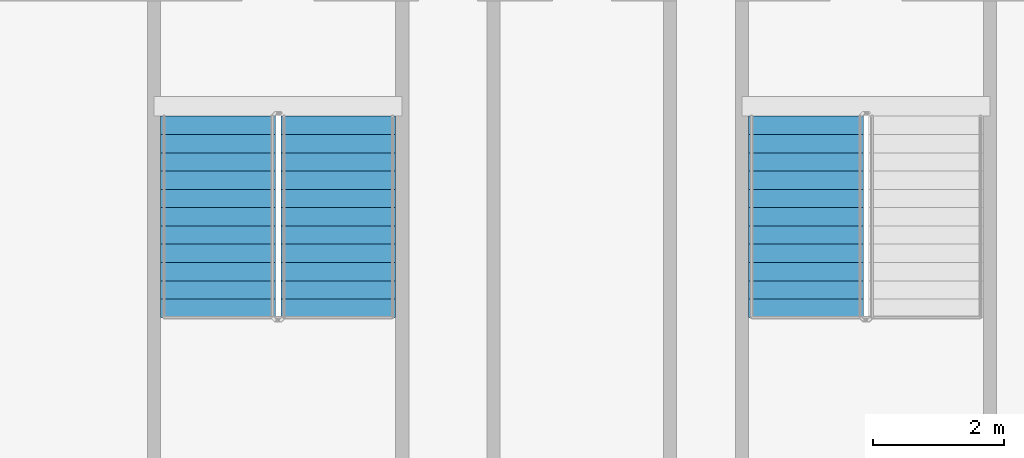
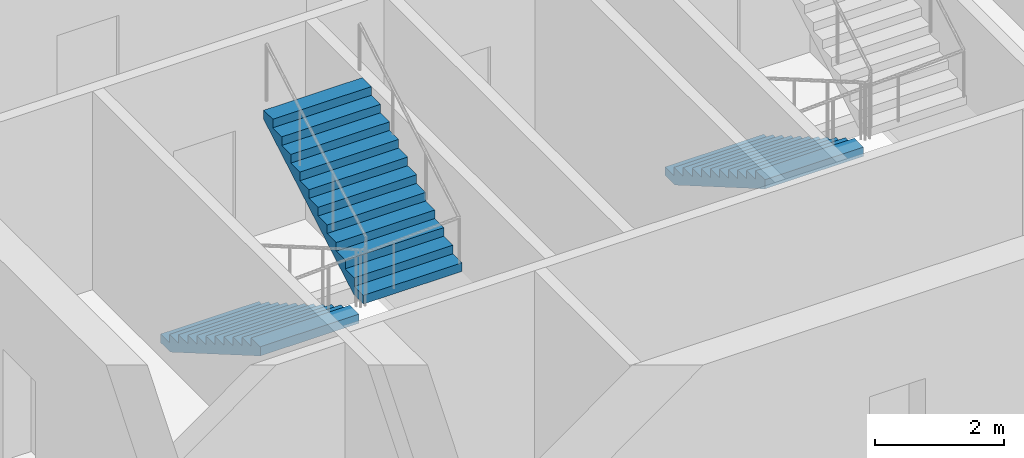
# One storey, part 15 of 22: 3 stair flights, 2 elements without a shape of their own.
"""IFC4 building model written with IfcOpenShell, lengths in metres."""

from ifc_helpers import new_model, si_unit, direction, frame, origin, place, context, subcontext, project, spatial, faceted_brep, material, type_object, element, aggregate, save


model = new_model("IFC4")

# Units and contexts
model_context = context("Model", 3, precision=1e-05, world=origin(), true_north=direction((0.0, 1.0)))
body_context = subcontext(model_context, "Body", "Model", "MODEL_VIEW")
ifc_project = project(units=[si_unit("LENGTHUNIT", "METRE"), si_unit("AREAUNIT", "SQUARE_METRE"), si_unit("VOLUMEUNIT", "CUBIC_METRE"), si_unit("PLANEANGLEUNIT", "RADIAN"), si_unit("MASSUNIT", "GRAM", prefix="KILO")], contexts=[model_context])

# Site, building, storey
site_placement = place(None, origin())
site = spatial("IfcSite", under=ifc_project, at=site_placement, CompositionType="ELEMENT")
building_placement = place(site_placement, origin())
building = spatial("IfcBuilding", under=site, at=building_placement, Name="Tarsis Ring Headquarters", CompositionType="ELEMENT")
storey_placement = place(building_placement, frame((0.0, 0.0, 270.800048828125)))
storey = spatial("IfcBuildingStorey", under=building, at=storey_placement, Name="L63", CompositionType="ELEMENT", Elevation=270.800048828125)

# Stair, stair flights
ifc_material_1 = material(Name="Core stair 1760")
stair_type = type_object("IfcStairType", Name="Core stair 1760", PredefinedType="HALF_TURN_STAIR", material=ifc_material_1)
stair_1_placement = place(storey_placement, origin())
stair_1 = element("IfcStair", 1, at=stair_1_placement, inside=storey, type_object=stair_type, Name="L63 Exit stair C", PredefinedType="HALF_TURN_STAIR")
ifc_material_2 = material(Name="Concrete C40/50", Category="concrete")
stair_flight_type = type_object("IfcStairFlightType", Name="Core stair flight 1760", PredefinedType="STRAIGHT", material=ifc_material_2)
stair_flight_1_placement = place(storey_placement, frame((-5.419921875, -3.659912109375, 0.0), z_axis=(0.0, 0.0, 1.0), x_axis=(0.0, -1.0, 0.0)))
stair_flight_1 = element("IfcStairFlight", 2, at=stair_flight_1_placement, type_object=stair_flight_type, Name="Stair ST3 flight 1", NumberOfRisers=12, NumberOfTreads=11, PredefinedType="STRAIGHT", RiserHeight=0.1625, TreadLength=0.28, context=body_context, shape_type="Brep", body=[
    faceted_brep([(0.0, 0.8798828125, 0.0), (0.0, 0.8798828125, 0.16259765625), (0.280029296875, 0.8798828125, 0.16259765625), (0.280029296875, 0.8798828125, 0.324951171875), (0.56005859375, 0.8798828125, 0.324951171875), (0.56005859375, 0.8798828125, 0.487548828125), (0.840087890625, 0.8798828125, 0.487548828125), (0.840087890625, 0.8798828125, 0.64990234375), (1.1201171875, 0.8798828125, 0.64990234375), (1.1201171875, 0.8798828125, 0.8125), (1.39990234375, 0.8798828125, 0.8125), (1.39990234375, 0.8798828125, 0.97509765625), (1.679931640625, 0.8798828125, 0.97509765625), (1.679931640625, 0.8798828125, 1.137451171875), (1.9599609375, 0.8798828125, 1.137451171875), (1.9599609375, 0.8798828125, 1.300048828125), (2.239990234375, 0.8798828125, 1.300048828125), (2.239990234375, 0.8798828125, 1.46240234375), (2.52001953125, 0.8798828125, 1.46240234375), (2.52001953125, 0.8798828125, 1.625), (2.800048828125, 0.8798828125, 1.625), (2.800048828125, 0.8798828125, 1.78759765625), (3.080078125, 0.8798828125, 1.78759765625), (3.080078125, 0.8798828125, 1.6142578125), (0.298583984375, 0.8798828125, 0.0), (0.298583984375, -0.8798828125, 0.0), (3.080078125, -0.8798828125, 1.6142578125), (3.080078125, -0.8798828125, 1.78759765625), (2.800048828125, -0.8798828125, 1.78759765625), (2.800048828125, -0.8798828125, 1.625), (2.52001953125, -0.8798828125, 1.625), (2.52001953125, -0.8798828125, 1.46240234375), (2.239990234375, -0.8798828125, 1.46240234375), (2.239990234375, -0.8798828125, 1.300048828125), (1.9599609375, -0.8798828125, 1.300048828125), (1.9599609375, -0.8798828125, 1.137451171875), (1.679931640625, -0.8798828125, 1.137451171875), (1.679931640625, -0.8798828125, 0.97509765625), (1.39990234375, -0.8798828125, 0.97509765625), (1.39990234375, -0.8798828125, 0.8125), (1.1201171875, -0.8798828125, 0.8125), (1.1201171875, -0.8798828125, 0.64990234375), (0.840087890625, -0.8798828125, 0.64990234375), (0.840087890625, -0.8798828125, 0.487548828125), (0.56005859375, -0.8798828125, 0.487548828125), (0.56005859375, -0.8798828125, 0.324951171875), (0.280029296875, -0.8798828125, 0.324951171875), (0.280029296875, -0.8798828125, 0.16259765625), (0.0, -0.8798828125, 0.16259765625), (0.0, -0.8798828125, 0.0), (0.0, -0.43994140625, 0.16259765625), (0.0, -0.43994140625, 0.0), (0.0, 0.0, 0.16259765625), (0.0, 0.0, 0.0), (0.0, 0.43994140625, 0.16259765625), (0.0, 0.43994140625, 0.0), (0.280029296875, -0.43994140625, 0.16259765625), (0.280029296875, 0.0, 0.16259765625), (0.280029296875, 0.43994140625, 0.16259765625), (0.280029296875, -0.43994140625, 0.324951171875), (0.280029296875, 0.0, 0.324951171875), (0.280029296875, 0.43994140625, 0.324951171875), (0.56005859375, -0.43994140625, 0.324951171875), (0.56005859375, 0.0, 0.324951171875), (0.56005859375, 0.43994140625, 0.324951171875), (0.56005859375, -0.43994140625, 0.487548828125), (0.56005859375, 0.0, 0.487548828125), (0.56005859375, 0.43994140625, 0.487548828125), (0.840087890625, -0.43994140625, 0.487548828125), (0.840087890625, 0.0, 0.487548828125), (0.840087890625, 0.43994140625, 0.487548828125), (0.840087890625, -0.43994140625, 0.64990234375), (0.840087890625, 0.0, 0.64990234375), (0.840087890625, 0.43994140625, 0.64990234375), (1.1201171875, -0.43994140625, 0.64990234375), (1.1201171875, 0.0, 0.64990234375), (1.1201171875, 0.43994140625, 0.64990234375), (1.1201171875, -0.43994140625, 0.8125), (1.1201171875, 0.0, 0.8125), (1.1201171875, 0.43994140625, 0.8125), (1.39990234375, -0.43994140625, 0.8125), (1.39990234375, 0.0, 0.8125), (1.39990234375, 0.43994140625, 0.8125), (1.39990234375, -0.43994140625, 0.97509765625), (1.39990234375, 0.0, 0.97509765625), (1.39990234375, 0.43994140625, 0.97509765625), (1.679931640625, -0.43994140625, 0.97509765625), (1.679931640625, 0.0, 0.97509765625), (1.679931640625, 0.43994140625, 0.97509765625), (1.679931640625, -0.43994140625, 1.137451171875), (1.679931640625, 0.0, 1.137451171875), (1.679931640625, 0.43994140625, 1.137451171875), (1.9599609375, -0.43994140625, 1.137451171875), (1.9599609375, 0.0, 1.137451171875), (1.9599609375, 0.43994140625, 1.137451171875), (1.9599609375, -0.43994140625, 1.300048828125), (1.9599609375, 0.0, 1.300048828125), (1.9599609375, 0.43994140625, 1.300048828125), (2.239990234375, -0.43994140625, 1.300048828125), (2.239990234375, 0.0, 1.300048828125), (2.239990234375, 0.43994140625, 1.300048828125), (2.239990234375, -0.43994140625, 1.46240234375), (2.239990234375, 0.0, 1.46240234375), (2.239990234375, 0.43994140625, 1.46240234375), (2.52001953125, -0.43994140625, 1.46240234375), (2.52001953125, 0.0, 1.46240234375), (2.52001953125, 0.43994140625, 1.46240234375), (2.52001953125, -0.43994140625, 1.625), (2.52001953125, 0.0, 1.625), (2.52001953125, 0.43994140625, 1.625), (2.800048828125, -0.43994140625, 1.625), (2.800048828125, 0.0, 1.625), (2.800048828125, 0.43994140625, 1.625), (2.800048828125, -0.43994140625, 1.78759765625), (2.800048828125, 0.0, 1.78759765625), (2.800048828125, 0.43994140625, 1.78759765625), (3.080078125, -0.43994140625, 1.78759765625), (3.080078125, 0.0, 1.78759765625), (3.080078125, 0.43994140625, 1.78759765625), (3.080078125, -0.43994140625, 1.6142578125), (3.080078125, 0.0, 1.6142578125), (3.080078125, 0.43994140625, 1.6142578125), (0.298583984375, -0.43994140625, 0.0), (0.298583984375, 0.0, 0.0), (0.298583984375, 0.43994140625, 0.0)], [[[0, 1, 2, 3, 4, 5, 6, 7, 8, 9, 10, 11, 12, 13, 14, 15, 16, 17, 18, 19, 20, 21, 22, 23, 24]], [[25, 26, 27, 28, 29, 30, 31, 32, 33, 34, 35, 36, 37, 38, 39, 40, 41, 42, 43, 44, 45, 46, 47, 48, 49]], [[49, 48, 50, 51]], [[51, 50, 52, 53]], [[53, 52, 54, 55]], [[55, 54, 1, 0]], [[48, 47, 56, 50]], [[50, 56, 57, 52]], [[52, 57, 58, 54]], [[54, 58, 2, 1]], [[47, 46, 59, 56]], [[56, 59, 60, 57]], [[57, 60, 61, 58]], [[58, 61, 3, 2]], [[46, 45, 62, 59]], [[59, 62, 63, 60]], [[60, 63, 64, 61]], [[61, 64, 4, 3]], [[45, 44, 65, 62]], [[62, 65, 66, 63]], [[63, 66, 67, 64]], [[64, 67, 5, 4]], [[44, 43, 68, 65]], [[65, 68, 69, 66]], [[66, 69, 70, 67]], [[67, 70, 6, 5]], [[43, 42, 71, 68]], [[68, 71, 72, 69]], [[69, 72, 73, 70]], [[70, 73, 7, 6]], [[42, 41, 74, 71]], [[71, 74, 75, 72]], [[72, 75, 76, 73]], [[73, 76, 8, 7]], [[41, 40, 77, 74]], [[74, 77, 78, 75]], [[75, 78, 79, 76]], [[76, 79, 9, 8]], [[40, 39, 80, 77]], [[77, 80, 81, 78]], [[78, 81, 82, 79]], [[79, 82, 10, 9]], [[39, 38, 83, 80]], [[80, 83, 84, 81]], [[81, 84, 85, 82]], [[82, 85, 11, 10]], [[38, 37, 86, 83]], [[83, 86, 87, 84]], [[84, 87, 88, 85]], [[85, 88, 12, 11]], [[37, 36, 89, 86]], [[86, 89, 90, 87]], [[87, 90, 91, 88]], [[88, 91, 13, 12]], [[36, 35, 92, 89]], [[89, 92, 93, 90]], [[90, 93, 94, 91]], [[91, 94, 14, 13]], [[35, 34, 95, 92]], [[92, 95, 96, 93]], [[93, 96, 97, 94]], [[94, 97, 15, 14]], [[34, 33, 98, 95]], [[95, 98, 99, 96]], [[96, 99, 100, 97]], [[97, 100, 16, 15]], [[33, 32, 101, 98]], [[98, 101, 102, 99]], [[99, 102, 103, 100]], [[100, 103, 17, 16]], [[32, 31, 104, 101]], [[101, 104, 105, 102]], [[102, 105, 106, 103]], [[103, 106, 18, 17]], [[31, 30, 107, 104]], [[104, 107, 108, 105]], [[105, 108, 109, 106]], [[106, 109, 19, 18]], [[30, 29, 110, 107]], [[107, 110, 111, 108]], [[108, 111, 112, 109]], [[109, 112, 20, 19]], [[29, 28, 113, 110]], [[110, 113, 114, 111]], [[111, 114, 115, 112]], [[112, 115, 21, 20]], [[28, 27, 116, 113]], [[113, 116, 117, 114]], [[114, 117, 118, 115]], [[115, 118, 22, 21]], [[27, 26, 119, 116]], [[116, 119, 120, 117]], [[117, 120, 121, 118]], [[118, 121, 23, 22]], [[26, 25, 122, 119]], [[119, 122, 123, 120]], [[120, 123, 124, 121]], [[121, 124, 24, 23]], [[25, 49, 51, 122]], [[122, 51, 53, 123]], [[123, 53, 55, 124]], [[124, 55, 0, 24]]]),
])
stair_flight_2_placement = place(storey_placement, frame((-3.580078125, -6.739990234375, 1.949951171875), z_axis=(0.0, 0.0, 1.0), x_axis=(0.0, 1.0, 0.0)))
stair_flight_2 = element("IfcStairFlight", 3, at=stair_flight_2_placement, type_object=stair_flight_type, Name="Stair ST3 flight 2", NumberOfRisers=12, NumberOfTreads=11, PredefinedType="STRAIGHT", RiserHeight=0.1625, TreadLength=0.28, context=body_context, shape_type="Brep", body=[
    faceted_brep([(0.0, 0.8798828125, 0.0), (0.0, 0.8798828125, 0.16259765625), (0.280029296875, 0.8798828125, 0.16259765625), (0.280029296875, 0.8798828125, 0.324951171875), (0.56005859375, 0.8798828125, 0.324951171875), (0.56005859375, 0.8798828125, 0.487548828125), (0.840087890625, 0.8798828125, 0.487548828125), (0.840087890625, 0.8798828125, 0.64990234375), (1.1201171875, 0.8798828125, 0.64990234375), (1.1201171875, 0.8798828125, 0.8125), (1.39990234375, 0.8798828125, 0.8125), (1.39990234375, 0.8798828125, 0.97509765625), (1.679931640625, 0.8798828125, 0.97509765625), (1.679931640625, 0.8798828125, 1.137451171875), (1.9599609375, 0.8798828125, 1.137451171875), (1.9599609375, 0.8798828125, 1.300048828125), (2.239990234375, 0.8798828125, 1.300048828125), (2.239990234375, 0.8798828125, 1.46240234375), (2.52001953125, 0.8798828125, 1.46240234375), (2.52001953125, 0.8798828125, 1.625), (2.800048828125, 0.8798828125, 1.625), (2.800048828125, 0.8798828125, 1.78759765625), (3.080078125, 0.8798828125, 1.78759765625), (3.080078125, 0.8798828125, 1.6142578125), (0.298583984375, 0.8798828125, 0.0), (0.298583984375, -0.8798828125, 0.0), (3.080078125, -0.8798828125, 1.6142578125), (3.080078125, -0.8798828125, 1.78759765625), (2.800048828125, -0.8798828125, 1.78759765625), (2.800048828125, -0.8798828125, 1.625), (2.52001953125, -0.8798828125, 1.625), (2.52001953125, -0.8798828125, 1.46240234375), (2.239990234375, -0.8798828125, 1.46240234375), (2.239990234375, -0.8798828125, 1.300048828125), (1.9599609375, -0.8798828125, 1.300048828125), (1.9599609375, -0.8798828125, 1.137451171875), (1.679931640625, -0.8798828125, 1.137451171875), (1.679931640625, -0.8798828125, 0.97509765625), (1.39990234375, -0.8798828125, 0.97509765625), (1.39990234375, -0.8798828125, 0.8125), (1.1201171875, -0.8798828125, 0.8125), (1.1201171875, -0.8798828125, 0.64990234375), (0.840087890625, -0.8798828125, 0.64990234375), (0.840087890625, -0.8798828125, 0.487548828125), (0.56005859375, -0.8798828125, 0.487548828125), (0.56005859375, -0.8798828125, 0.324951171875), (0.280029296875, -0.8798828125, 0.324951171875), (0.280029296875, -0.8798828125, 0.16259765625), (0.0, -0.8798828125, 0.16259765625), (0.0, -0.8798828125, 0.0), (0.0, -0.43994140625, 0.16259765625), (0.0, -0.43994140625, 0.0), (0.0, 0.0, 0.16259765625), (0.0, 0.0, 0.0), (0.0, 0.43994140625, 0.16259765625), (0.0, 0.43994140625, 0.0), (0.280029296875, -0.43994140625, 0.16259765625), (0.280029296875, 0.0, 0.16259765625), (0.280029296875, 0.43994140625, 0.16259765625), (0.280029296875, -0.43994140625, 0.324951171875), (0.280029296875, 0.0, 0.324951171875), (0.280029296875, 0.43994140625, 0.324951171875), (0.56005859375, -0.43994140625, 0.324951171875), (0.56005859375, 0.0, 0.324951171875), (0.56005859375, 0.43994140625, 0.324951171875), (0.56005859375, -0.43994140625, 0.487548828125), (0.56005859375, 0.0, 0.487548828125), (0.56005859375, 0.43994140625, 0.487548828125), (0.840087890625, -0.43994140625, 0.487548828125), (0.840087890625, 0.0, 0.487548828125), (0.840087890625, 0.43994140625, 0.487548828125), (0.840087890625, -0.43994140625, 0.64990234375), (0.840087890625, 0.0, 0.64990234375), (0.840087890625, 0.43994140625, 0.64990234375), (1.1201171875, -0.43994140625, 0.64990234375), (1.1201171875, 0.0, 0.64990234375), (1.1201171875, 0.43994140625, 0.64990234375), (1.1201171875, -0.43994140625, 0.8125), (1.1201171875, 0.0, 0.8125), (1.1201171875, 0.43994140625, 0.8125), (1.39990234375, -0.43994140625, 0.8125), (1.39990234375, 0.0, 0.8125), (1.39990234375, 0.43994140625, 0.8125), (1.39990234375, -0.43994140625, 0.97509765625), (1.39990234375, 0.0, 0.97509765625), (1.39990234375, 0.43994140625, 0.97509765625), (1.679931640625, -0.43994140625, 0.97509765625), (1.679931640625, 0.0, 0.97509765625), (1.679931640625, 0.43994140625, 0.97509765625), (1.679931640625, -0.43994140625, 1.137451171875), (1.679931640625, 0.0, 1.137451171875), (1.679931640625, 0.43994140625, 1.137451171875), (1.9599609375, -0.43994140625, 1.137451171875), (1.9599609375, 0.0, 1.137451171875), (1.9599609375, 0.43994140625, 1.137451171875), (1.9599609375, -0.43994140625, 1.300048828125), (1.9599609375, 0.0, 1.300048828125), (1.9599609375, 0.43994140625, 1.300048828125), (2.239990234375, -0.43994140625, 1.300048828125), (2.239990234375, 0.0, 1.300048828125), (2.239990234375, 0.43994140625, 1.300048828125), (2.239990234375, -0.43994140625, 1.46240234375), (2.239990234375, 0.0, 1.46240234375), (2.239990234375, 0.43994140625, 1.46240234375), (2.52001953125, -0.43994140625, 1.46240234375), (2.52001953125, 0.0, 1.46240234375), (2.52001953125, 0.43994140625, 1.46240234375), (2.52001953125, -0.43994140625, 1.625), (2.52001953125, 0.0, 1.625), (2.52001953125, 0.43994140625, 1.625), (2.800048828125, -0.43994140625, 1.625), (2.800048828125, 0.0, 1.625), (2.800048828125, 0.43994140625, 1.625), (2.800048828125, -0.43994140625, 1.78759765625), (2.800048828125, 0.0, 1.78759765625), (2.800048828125, 0.43994140625, 1.78759765625), (3.080078125, -0.43994140625, 1.78759765625), (3.080078125, 0.0, 1.78759765625), (3.080078125, 0.43994140625, 1.78759765625), (3.080078125, -0.43994140625, 1.6142578125), (3.080078125, 0.0, 1.6142578125), (3.080078125, 0.43994140625, 1.6142578125), (0.298583984375, -0.43994140625, 0.0), (0.298583984375, 0.0, 0.0), (0.298583984375, 0.43994140625, 0.0)], [[[0, 1, 2, 3, 4, 5, 6, 7, 8, 9, 10, 11, 12, 13, 14, 15, 16, 17, 18, 19, 20, 21, 22, 23, 24]], [[25, 26, 27, 28, 29, 30, 31, 32, 33, 34, 35, 36, 37, 38, 39, 40, 41, 42, 43, 44, 45, 46, 47, 48, 49]], [[49, 48, 50, 51]], [[51, 50, 52, 53]], [[53, 52, 54, 55]], [[55, 54, 1, 0]], [[48, 47, 56, 50]], [[50, 56, 57, 52]], [[52, 57, 58, 54]], [[54, 58, 2, 1]], [[47, 46, 59, 56]], [[56, 59, 60, 57]], [[57, 60, 61, 58]], [[58, 61, 3, 2]], [[46, 45, 62, 59]], [[59, 62, 63, 60]], [[60, 63, 64, 61]], [[61, 64, 4, 3]], [[45, 44, 65, 62]], [[62, 65, 66, 63]], [[63, 66, 67, 64]], [[64, 67, 5, 4]], [[44, 43, 68, 65]], [[65, 68, 69, 66]], [[66, 69, 70, 67]], [[67, 70, 6, 5]], [[43, 42, 71, 68]], [[68, 71, 72, 69]], [[69, 72, 73, 70]], [[70, 73, 7, 6]], [[42, 41, 74, 71]], [[71, 74, 75, 72]], [[72, 75, 76, 73]], [[73, 76, 8, 7]], [[41, 40, 77, 74]], [[74, 77, 78, 75]], [[75, 78, 79, 76]], [[76, 79, 9, 8]], [[40, 39, 80, 77]], [[77, 80, 81, 78]], [[78, 81, 82, 79]], [[79, 82, 10, 9]], [[39, 38, 83, 80]], [[80, 83, 84, 81]], [[81, 84, 85, 82]], [[82, 85, 11, 10]], [[38, 37, 86, 83]], [[83, 86, 87, 84]], [[84, 87, 88, 85]], [[85, 88, 12, 11]], [[37, 36, 89, 86]], [[86, 89, 90, 87]], [[87, 90, 91, 88]], [[88, 91, 13, 12]], [[36, 35, 92, 89]], [[89, 92, 93, 90]], [[90, 93, 94, 91]], [[91, 94, 14, 13]], [[35, 34, 95, 92]], [[92, 95, 96, 93]], [[93, 96, 97, 94]], [[94, 97, 15, 14]], [[34, 33, 98, 95]], [[95, 98, 99, 96]], [[96, 99, 100, 97]], [[97, 100, 16, 15]], [[33, 32, 101, 98]], [[98, 101, 102, 99]], [[99, 102, 103, 100]], [[100, 103, 17, 16]], [[32, 31, 104, 101]], [[101, 104, 105, 102]], [[102, 105, 106, 103]], [[103, 106, 18, 17]], [[31, 30, 107, 104]], [[104, 107, 108, 105]], [[105, 108, 109, 106]], [[106, 109, 19, 18]], [[30, 29, 110, 107]], [[107, 110, 111, 108]], [[108, 111, 112, 109]], [[109, 112, 20, 19]], [[29, 28, 113, 110]], [[110, 113, 114, 111]], [[111, 114, 115, 112]], [[112, 115, 21, 20]], [[28, 27, 116, 113]], [[113, 116, 117, 114]], [[114, 117, 118, 115]], [[115, 118, 22, 21]], [[27, 26, 119, 116]], [[116, 119, 120, 117]], [[117, 120, 121, 118]], [[118, 121, 23, 22]], [[26, 25, 122, 119]], [[119, 122, 123, 120]], [[120, 123, 124, 121]], [[121, 124, 24, 23]], [[25, 49, 51, 122]], [[122, 51, 53, 123]], [[123, 53, 55, 124]], [[124, 55, 0, 24]]]),
])
aggregate(stair_1, [stair_flight_1, stair_flight_2])

# Stair, stair flight
stair_2_placement = place(storey_placement, origin())
stair_2 = element("IfcStair", 4, at=stair_2_placement, inside=storey, type_object=stair_type, Name="L63 Exit stair D", PredefinedType="HALF_TURN_STAIR")
stair_flight_3_placement = place(storey_placement, frame((3.580078125, -3.659912109375, 0.0), z_axis=(0.0, 0.0, 1.0), x_axis=(0.0, -1.0, 0.0)))
stair_flight_3 = element("IfcStairFlight", 5, at=stair_flight_3_placement, type_object=stair_flight_type, Name="Stair ST4 flight 1", NumberOfRisers=12, NumberOfTreads=11, PredefinedType="STRAIGHT", RiserHeight=0.1625, TreadLength=0.28, context=body_context, shape_type="Brep", body=[
    faceted_brep([(0.0, 0.8798828125, 0.0), (0.0, 0.8798828125, 0.16259765625), (0.280029296875, 0.8798828125, 0.16259765625), (0.280029296875, 0.8798828125, 0.324951171875), (0.56005859375, 0.8798828125, 0.324951171875), (0.56005859375, 0.8798828125, 0.487548828125), (0.840087890625, 0.8798828125, 0.487548828125), (0.840087890625, 0.8798828125, 0.64990234375), (1.1201171875, 0.8798828125, 0.64990234375), (1.1201171875, 0.8798828125, 0.8125), (1.39990234375, 0.8798828125, 0.8125), (1.39990234375, 0.8798828125, 0.97509765625), (1.679931640625, 0.8798828125, 0.97509765625), (1.679931640625, 0.8798828125, 1.137451171875), (1.9599609375, 0.8798828125, 1.137451171875), (1.9599609375, 0.8798828125, 1.300048828125), (2.239990234375, 0.8798828125, 1.300048828125), (2.239990234375, 0.8798828125, 1.46240234375), (2.52001953125, 0.8798828125, 1.46240234375), (2.52001953125, 0.8798828125, 1.625), (2.800048828125, 0.8798828125, 1.625), (2.800048828125, 0.8798828125, 1.78759765625), (3.080078125, 0.8798828125, 1.78759765625), (3.080078125, 0.8798828125, 1.6142578125), (0.298583984375, 0.8798828125, 0.0), (0.298583984375, -0.8798828125, 0.0), (3.080078125, -0.8798828125, 1.6142578125), (3.080078125, -0.8798828125, 1.78759765625), (2.800048828125, -0.8798828125, 1.78759765625), (2.800048828125, -0.8798828125, 1.625), (2.52001953125, -0.8798828125, 1.625), (2.52001953125, -0.8798828125, 1.46240234375), (2.239990234375, -0.8798828125, 1.46240234375), (2.239990234375, -0.8798828125, 1.300048828125), (1.9599609375, -0.8798828125, 1.300048828125), (1.9599609375, -0.8798828125, 1.137451171875), (1.679931640625, -0.8798828125, 1.137451171875), (1.679931640625, -0.8798828125, 0.97509765625), (1.39990234375, -0.8798828125, 0.97509765625), (1.39990234375, -0.8798828125, 0.8125), (1.1201171875, -0.8798828125, 0.8125), (1.1201171875, -0.8798828125, 0.64990234375), (0.840087890625, -0.8798828125, 0.64990234375), (0.840087890625, -0.8798828125, 0.487548828125), (0.56005859375, -0.8798828125, 0.487548828125), (0.56005859375, -0.8798828125, 0.324951171875), (0.280029296875, -0.8798828125, 0.324951171875), (0.280029296875, -0.8798828125, 0.16259765625), (0.0, -0.8798828125, 0.16259765625), (0.0, -0.8798828125, 0.0), (0.0, -0.43994140625, 0.16259765625), (0.0, -0.43994140625, 0.0), (0.0, 0.0, 0.16259765625), (0.0, 0.0, 0.0), (0.0, 0.43994140625, 0.16259765625), (0.0, 0.43994140625, 0.0), (0.280029296875, -0.43994140625, 0.16259765625), (0.280029296875, 0.0, 0.16259765625), (0.280029296875, 0.43994140625, 0.16259765625), (0.280029296875, -0.43994140625, 0.324951171875), (0.280029296875, 0.0, 0.324951171875), (0.280029296875, 0.43994140625, 0.324951171875), (0.56005859375, -0.43994140625, 0.324951171875), (0.56005859375, 0.0, 0.324951171875), (0.56005859375, 0.43994140625, 0.324951171875), (0.56005859375, -0.43994140625, 0.487548828125), (0.56005859375, 0.0, 0.487548828125), (0.56005859375, 0.43994140625, 0.487548828125), (0.840087890625, -0.43994140625, 0.487548828125), (0.840087890625, 0.0, 0.487548828125), (0.840087890625, 0.43994140625, 0.487548828125), (0.840087890625, -0.43994140625, 0.64990234375), (0.840087890625, 0.0, 0.64990234375), (0.840087890625, 0.43994140625, 0.64990234375), (1.1201171875, -0.43994140625, 0.64990234375), (1.1201171875, 0.0, 0.64990234375), (1.1201171875, 0.43994140625, 0.64990234375), (1.1201171875, -0.43994140625, 0.8125), (1.1201171875, 0.0, 0.8125), (1.1201171875, 0.43994140625, 0.8125), (1.39990234375, -0.43994140625, 0.8125), (1.39990234375, 0.0, 0.8125), (1.39990234375, 0.43994140625, 0.8125), (1.39990234375, -0.43994140625, 0.97509765625), (1.39990234375, 0.0, 0.97509765625), (1.39990234375, 0.43994140625, 0.97509765625), (1.679931640625, -0.43994140625, 0.97509765625), (1.679931640625, 0.0, 0.97509765625), (1.679931640625, 0.43994140625, 0.97509765625), (1.679931640625, -0.43994140625, 1.137451171875), (1.679931640625, 0.0, 1.137451171875), (1.679931640625, 0.43994140625, 1.137451171875), (1.9599609375, -0.43994140625, 1.137451171875), (1.9599609375, 0.0, 1.137451171875), (1.9599609375, 0.43994140625, 1.137451171875), (1.9599609375, -0.43994140625, 1.300048828125), (1.9599609375, 0.0, 1.300048828125), (1.9599609375, 0.43994140625, 1.300048828125), (2.239990234375, -0.43994140625, 1.300048828125), (2.239990234375, 0.0, 1.300048828125), (2.239990234375, 0.43994140625, 1.300048828125), (2.239990234375, -0.43994140625, 1.46240234375), (2.239990234375, 0.0, 1.46240234375), (2.239990234375, 0.43994140625, 1.46240234375), (2.52001953125, -0.43994140625, 1.46240234375), (2.52001953125, 0.0, 1.46240234375), (2.52001953125, 0.43994140625, 1.46240234375), (2.52001953125, -0.43994140625, 1.625), (2.52001953125, 0.0, 1.625), (2.52001953125, 0.43994140625, 1.625), (2.800048828125, -0.43994140625, 1.625), (2.800048828125, 0.0, 1.625), (2.800048828125, 0.43994140625, 1.625), (2.800048828125, -0.43994140625, 1.78759765625), (2.800048828125, 0.0, 1.78759765625), (2.800048828125, 0.43994140625, 1.78759765625), (3.080078125, -0.43994140625, 1.78759765625), (3.080078125, 0.0, 1.78759765625), (3.080078125, 0.43994140625, 1.78759765625), (3.080078125, -0.43994140625, 1.6142578125), (3.080078125, 0.0, 1.6142578125), (3.080078125, 0.43994140625, 1.6142578125), (0.298583984375, -0.43994140625, 0.0), (0.298583984375, 0.0, 0.0), (0.298583984375, 0.43994140625, 0.0)], [[[0, 1, 2, 3, 4, 5, 6, 7, 8, 9, 10, 11, 12, 13, 14, 15, 16, 17, 18, 19, 20, 21, 22, 23, 24]], [[25, 26, 27, 28, 29, 30, 31, 32, 33, 34, 35, 36, 37, 38, 39, 40, 41, 42, 43, 44, 45, 46, 47, 48, 49]], [[49, 48, 50, 51]], [[51, 50, 52, 53]], [[53, 52, 54, 55]], [[55, 54, 1, 0]], [[48, 47, 56, 50]], [[50, 56, 57, 52]], [[52, 57, 58, 54]], [[54, 58, 2, 1]], [[47, 46, 59, 56]], [[56, 59, 60, 57]], [[57, 60, 61, 58]], [[58, 61, 3, 2]], [[46, 45, 62, 59]], [[59, 62, 63, 60]], [[60, 63, 64, 61]], [[61, 64, 4, 3]], [[45, 44, 65, 62]], [[62, 65, 66, 63]], [[63, 66, 67, 64]], [[64, 67, 5, 4]], [[44, 43, 68, 65]], [[65, 68, 69, 66]], [[66, 69, 70, 67]], [[67, 70, 6, 5]], [[43, 42, 71, 68]], [[68, 71, 72, 69]], [[69, 72, 73, 70]], [[70, 73, 7, 6]], [[42, 41, 74, 71]], [[71, 74, 75, 72]], [[72, 75, 76, 73]], [[73, 76, 8, 7]], [[41, 40, 77, 74]], [[74, 77, 78, 75]], [[75, 78, 79, 76]], [[76, 79, 9, 8]], [[40, 39, 80, 77]], [[77, 80, 81, 78]], [[78, 81, 82, 79]], [[79, 82, 10, 9]], [[39, 38, 83, 80]], [[80, 83, 84, 81]], [[81, 84, 85, 82]], [[82, 85, 11, 10]], [[38, 37, 86, 83]], [[83, 86, 87, 84]], [[84, 87, 88, 85]], [[85, 88, 12, 11]], [[37, 36, 89, 86]], [[86, 89, 90, 87]], [[87, 90, 91, 88]], [[88, 91, 13, 12]], [[36, 35, 92, 89]], [[89, 92, 93, 90]], [[90, 93, 94, 91]], [[91, 94, 14, 13]], [[35, 34, 95, 92]], [[92, 95, 96, 93]], [[93, 96, 97, 94]], [[94, 97, 15, 14]], [[34, 33, 98, 95]], [[95, 98, 99, 96]], [[96, 99, 100, 97]], [[97, 100, 16, 15]], [[33, 32, 101, 98]], [[98, 101, 102, 99]], [[99, 102, 103, 100]], [[100, 103, 17, 16]], [[32, 31, 104, 101]], [[101, 104, 105, 102]], [[102, 105, 106, 103]], [[103, 106, 18, 17]], [[31, 30, 107, 104]], [[104, 107, 108, 105]], [[105, 108, 109, 106]], [[106, 109, 19, 18]], [[30, 29, 110, 107]], [[107, 110, 111, 108]], [[108, 111, 112, 109]], [[109, 112, 20, 19]], [[29, 28, 113, 110]], [[110, 113, 114, 111]], [[111, 114, 115, 112]], [[112, 115, 21, 20]], [[28, 27, 116, 113]], [[113, 116, 117, 114]], [[114, 117, 118, 115]], [[115, 118, 22, 21]], [[27, 26, 119, 116]], [[116, 119, 120, 117]], [[117, 120, 121, 118]], [[118, 121, 23, 22]], [[26, 25, 122, 119]], [[119, 122, 123, 120]], [[120, 123, 124, 121]], [[121, 124, 24, 23]], [[25, 49, 51, 122]], [[122, 51, 53, 123]], [[123, 53, 55, 124]], [[124, 55, 0, 24]]]),
])
aggregate(stair_2, [stair_flight_3])

save(model, "model.ifc")
